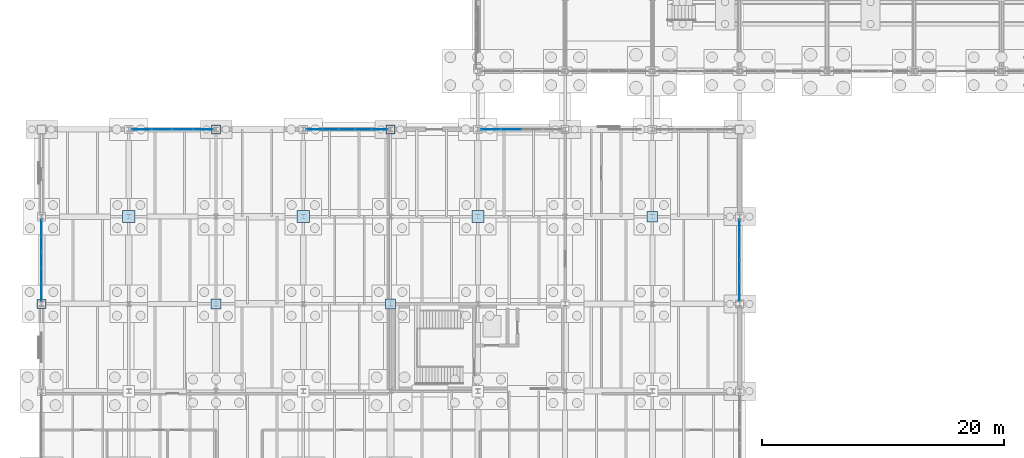
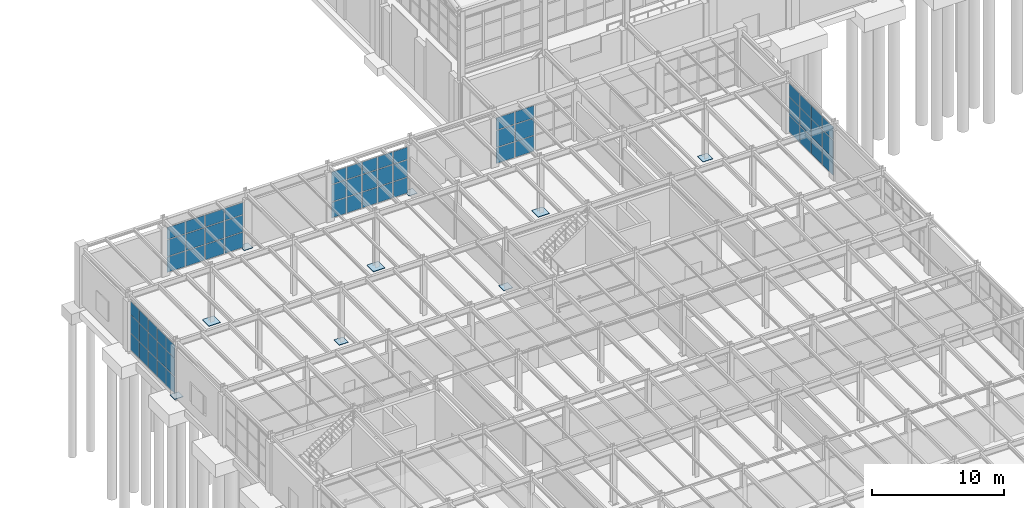
# One storey, part 237 of 293: 69 plates, 5 elements without a shape of their own.
"""IFC4 building model written with IfcOpenShell, lengths in metres."""

from ifc_helpers import new_model, si_unit, direction, frame, origin, origin_2d, place, context, subcontext, project, spatial, rectangle, extrude, material, layer, layer_set, type_object, element, aggregate, save


model = new_model("IFC4")

# Units and contexts
model_context = context("Model", 3, precision=1e-05, world=origin(), true_north=direction((0.0, 1.0)))
body_context = subcontext(model_context, "Body", "Model", "MODEL_VIEW")
ifc_project = project(units=[si_unit("LENGTHUNIT", "METRE"), si_unit("AREAUNIT", "SQUARE_METRE"), si_unit("VOLUMEUNIT", "CUBIC_METRE"), si_unit("PLANEANGLEUNIT", "RADIAN"), si_unit("MASSUNIT", "GRAM", prefix="KILO")], contexts=[model_context])

# Site, building, storey
site_placement = place(None, origin())
site = spatial("IfcSite", under=ifc_project, at=site_placement, CompositionType="ELEMENT")
building_placement = place(site_placement, origin())
building = spatial("IfcBuilding", under=site, at=building_placement, Name="Kemerveld Promenade Tramway Depot", CompositionType="ELEMENT")
storey_placement = place(building_placement, origin())
storey = spatial("IfcBuildingStorey", under=building, at=storey_placement, Name="L00", CompositionType="ELEMENT", Elevation=0.0)

# Curtain wall, plates
ifc_material_1 = material(Name="Bronze anodised aluminium and solar glass", Category="aluminium")
ifc_layer_1 = layer(ifc_material_1, 0.159912109375)
ifc_layer_set_1 = layer_set([ifc_layer_1], Name="CW-SYS-09")
curtain_wall_type_1 = type_object("IfcCurtainWallType", Name="CW-SYS-09", PredefinedType="USERDEFINED", material=ifc_layer_set_1)
curtain_wall_1_placement = place(storey_placement, origin())
curtain_wall_1 = element("IfcCurtainWall", 1, at=curtain_wall_1_placement, inside=storey, type_object=curtain_wall_type_1, Name="CW-L00-V5N-06", ObjectType="GLAZED_CURTAIN_WALL", PredefinedType="USERDEFINED")
ifc_material_2 = material(Name="Solar-control laminated double glazing", Category="glass")
ifc_layer_2 = layer(ifc_material_2, 0.028076171875)
ifc_layer_set_2 = layer_set([ifc_layer_2], Name="CW-PNL-01")
plate_type_1 = type_object("IfcPlateType", Name="CW-PNL-01", PredefinedType="CURTAIN_PANEL", material=ifc_layer_set_2)
plate_1_placement = place(storey_placement, frame((37.071044921875, 79.199951171875, 0.06005859375), z_axis=(0.0, 0.0, 1.0), x_axis=(1.0, 0.0, 0.0)))
plate_1 = element("IfcPlate", 2, at=plate_1_placement, type_object=plate_type_1, Name="CW09 panel 1.1", PredefinedType="CURTAIN_PANEL", context=body_context, shape_type="SweptSolid", body=[
    extrude(rectangle(XDim=1.599365234375, YDim=0.028076171875, at=origin_2d()), origin(), (0.0, 0.0, 1.0), 1.425048828125),
])
plate_2_placement = place(storey_placement, frame((37.071044921875, 79.199951171875, 1.544921875), z_axis=(0.0, 0.0, 1.0), x_axis=(1.0, 0.0, 0.0)))
plate_2 = element("IfcPlate", 3, at=plate_2_placement, type_object=plate_type_1, Name="CW09 panel 1.2", PredefinedType="CURTAIN_PANEL", context=body_context, shape_type="SweptSolid", body=[
    extrude(rectangle(XDim=1.599365234375, YDim=0.028076171875, at=origin_2d()), origin(), (0.0, 0.0, 1.0), 1.54296875),
])
plate_3_placement = place(storey_placement, frame((37.071044921875, 79.199951171875, 3.14794921875), z_axis=(0.0, 0.0, 1.0), x_axis=(1.0, 0.0, 0.0)))
plate_3 = element("IfcPlate", 4, at=plate_3_placement, type_object=plate_type_1, Name="CW09 panel 1.3", PredefinedType="CURTAIN_PANEL", context=body_context, shape_type="SweptSolid", body=[
    extrude(rectangle(XDim=1.599365234375, YDim=0.028076171875, at=origin_2d()), origin(), (0.0, 0.0, 1.0), 1.1220703125),
])
plate_4_placement = place(storey_placement, frame((38.75146484375, 79.199951171875, 0.06005859375), z_axis=(0.0, 0.0, 1.0), x_axis=(1.0, 0.0, 0.0)))
plate_4 = element("IfcPlate", 5, at=plate_4_placement, type_object=plate_type_1, Name="CW09 panel 2.1", PredefinedType="CURTAIN_PANEL", context=body_context, shape_type="SweptSolid", body=[
    extrude(rectangle(XDim=1.6318359375, YDim=0.028076171875, at=origin_2d()), origin(), (0.0, 0.0, 1.0), 1.425048828125),
])
plate_5_placement = place(storey_placement, frame((38.75146484375, 79.199951171875, 1.544921875), z_axis=(0.0, 0.0, 1.0), x_axis=(1.0, 0.0, 0.0)))
plate_5 = element("IfcPlate", 6, at=plate_5_placement, type_object=plate_type_1, Name="CW09 panel 2.2", PredefinedType="CURTAIN_PANEL", context=body_context, shape_type="SweptSolid", body=[
    extrude(rectangle(XDim=1.6318359375, YDim=0.028076171875, at=origin_2d()), origin(), (0.0, 0.0, 1.0), 1.54296875),
])
plate_6_placement = place(storey_placement, frame((38.75146484375, 79.199951171875, 3.14794921875), z_axis=(0.0, 0.0, 1.0), x_axis=(1.0, 0.0, 0.0)))
plate_6 = element("IfcPlate", 7, at=plate_6_placement, type_object=plate_type_1, Name="CW09 panel 2.3", PredefinedType="CURTAIN_PANEL", context=body_context, shape_type="SweptSolid", body=[
    extrude(rectangle(XDim=1.6318359375, YDim=0.028076171875, at=origin_2d()), origin(), (0.0, 0.0, 1.0), 1.1220703125),
])
aggregate(curtain_wall_1, [plate_1, plate_2, plate_3, plate_4, plate_5, plate_6])

ifc_layer_3 = layer(ifc_material_1, 0.159912109375)
ifc_layer_set_3 = layer_set([ifc_layer_3], Name="CW-SYS-13")
curtain_wall_type_2 = type_object("IfcCurtainWallType", Name="CW-SYS-13", PredefinedType="USERDEFINED", material=ifc_layer_set_3)
curtain_wall_2_placement = place(storey_placement, origin())
curtain_wall_2 = element("IfcCurtainWall", 8, at=curtain_wall_2_placement, inside=storey, type_object=curtain_wall_type_2, Name="CW-L00-V5W-10", ObjectType="GLAZED_CURTAIN_WALL", PredefinedType="USERDEFINED")
ifc_layer_4 = layer(ifc_material_2, 0.031982421875)
ifc_layer_set_4 = layer_set([ifc_layer_4], Name="CW-PNL-05")
plate_type_2 = type_object("IfcPlateType", Name="CW-PNL-05", PredefinedType="CURTAIN_PANEL", material=ifc_layer_set_4)
plate_7_placement = place(storey_placement, frame((0.0, 65.701171875, 0.06005859375), z_axis=(0.0, 0.0, 1.0), x_axis=(0.0, 1.0, 0.0)))
plate_7 = element("IfcPlate", 9, at=plate_7_placement, type_object=plate_type_2, Name="CW13 panel 1.1", PredefinedType="CURTAIN_PANEL", context=body_context, shape_type="SweptSolid", body=[
    extrude(rectangle(XDim=1.260009765625, YDim=0.031982421875, at=origin_2d()), origin(), (0.0, 0.0, 1.0), 1.51806640625),
])
plate_8_placement = place(storey_placement, frame((0.0, 65.701171875, 1.63818359375), z_axis=(0.0, 0.0, 1.0), x_axis=(0.0, 1.0, 0.0)))
plate_8 = element("IfcPlate", 10, at=plate_8_placement, type_object=plate_type_2, Name="CW13 panel 1.2", PredefinedType="CURTAIN_PANEL", context=body_context, shape_type="SweptSolid", body=[
    extrude(rectangle(XDim=1.260009765625, YDim=0.031982421875, at=origin_2d()), origin(), (0.0, 0.0, 1.0), 1.638916015625),
])
plate_9_placement = place(storey_placement, frame((0.0, 65.701171875, 3.337158203125), z_axis=(0.0, 0.0, 1.0), x_axis=(0.0, 1.0, 0.0)))
plate_9 = element("IfcPlate", 11, at=plate_9_placement, type_object=plate_type_2, Name="CW13 panel 1.3", PredefinedType="CURTAIN_PANEL", context=body_context, shape_type="SweptSolid", body=[
    extrude(rectangle(XDim=1.260009765625, YDim=0.031982421875, at=origin_2d()), origin(), (0.0, 0.0, 1.0), 1.1962890625),
])
plate_10_placement = place(storey_placement, frame((0.0, 67.04248046875, 0.06005859375), z_axis=(0.0, 0.0, 1.0), x_axis=(0.0, 1.0, 0.0)))
plate_10 = element("IfcPlate", 12, at=plate_10_placement, type_object=plate_type_2, Name="CW13 panel 2.1", PredefinedType="CURTAIN_PANEL", context=body_context, shape_type="SweptSolid", body=[
    extrude(rectangle(XDim=1.29248046875, YDim=0.031982421875, at=origin_2d()), origin(), (0.0, 0.0, 1.0), 1.51806640625),
])
plate_11_placement = place(storey_placement, frame((0.0, 67.04248046875, 1.63818359375), z_axis=(0.0, 0.0, 1.0), x_axis=(0.0, 1.0, 0.0)))
plate_11 = element("IfcPlate", 13, at=plate_11_placement, type_object=plate_type_2, Name="CW13 panel 2.2", PredefinedType="CURTAIN_PANEL", context=body_context, shape_type="SweptSolid", body=[
    extrude(rectangle(XDim=1.29248046875, YDim=0.031982421875, at=origin_2d()), origin(), (0.0, 0.0, 1.0), 1.638916015625),
])
plate_12_placement = place(storey_placement, frame((0.0, 67.04248046875, 3.337158203125), z_axis=(0.0, 0.0, 1.0), x_axis=(0.0, 1.0, 0.0)))
plate_12 = element("IfcPlate", 14, at=plate_12_placement, type_object=plate_type_2, Name="CW13 panel 2.3", PredefinedType="CURTAIN_PANEL", context=body_context, shape_type="SweptSolid", body=[
    extrude(rectangle(XDim=1.29248046875, YDim=0.031982421875, at=origin_2d()), origin(), (0.0, 0.0, 1.0), 1.1962890625),
])
plate_13_placement = place(storey_placement, frame((0.0, 68.39990234375, 0.06005859375), z_axis=(0.0, 0.0, 1.0), x_axis=(0.0, 1.0, 0.0)))
plate_13 = element("IfcPlate", 15, at=plate_13_placement, type_object=plate_type_2, Name="CW13 panel 3.1", PredefinedType="CURTAIN_PANEL", context=body_context, shape_type="SweptSolid", body=[
    extrude(rectangle(XDim=1.29248046875, YDim=0.031982421875, at=origin_2d()), origin(), (0.0, 0.0, 1.0), 1.51806640625),
])
plate_14_placement = place(storey_placement, frame((0.0, 68.39990234375, 1.63818359375), z_axis=(0.0, 0.0, 1.0), x_axis=(0.0, 1.0, 0.0)))
plate_14 = element("IfcPlate", 16, at=plate_14_placement, type_object=plate_type_2, Name="CW13 panel 3.2", PredefinedType="CURTAIN_PANEL", context=body_context, shape_type="SweptSolid", body=[
    extrude(rectangle(XDim=1.29248046875, YDim=0.031982421875, at=origin_2d()), origin(), (0.0, 0.0, 1.0), 1.638916015625),
])
plate_15_placement = place(storey_placement, frame((0.0, 68.39990234375, 3.337158203125), z_axis=(0.0, 0.0, 1.0), x_axis=(0.0, 1.0, 0.0)))
plate_15 = element("IfcPlate", 17, at=plate_15_placement, type_object=plate_type_2, Name="CW13 panel 3.3", PredefinedType="CURTAIN_PANEL", context=body_context, shape_type="SweptSolid", body=[
    extrude(rectangle(XDim=1.29248046875, YDim=0.031982421875, at=origin_2d()), origin(), (0.0, 0.0, 1.0), 1.1962890625),
])
plate_16_placement = place(storey_placement, frame((0.0, 69.757568359375, 0.06005859375), z_axis=(0.0, 0.0, 1.0), x_axis=(0.0, 1.0, 0.0)))
plate_16 = element("IfcPlate", 18, at=plate_16_placement, type_object=plate_type_2, Name="CW13 panel 4.1", PredefinedType="CURTAIN_PANEL", context=body_context, shape_type="SweptSolid", body=[
    extrude(rectangle(XDim=1.29248046875, YDim=0.031982421875, at=origin_2d()), origin(), (0.0, 0.0, 1.0), 1.51806640625),
])
plate_17_placement = place(storey_placement, frame((0.0, 69.757568359375, 1.63818359375), z_axis=(0.0, 0.0, 1.0), x_axis=(0.0, 1.0, 0.0)))
plate_17 = element("IfcPlate", 19, at=plate_17_placement, type_object=plate_type_2, Name="CW13 panel 4.2", PredefinedType="CURTAIN_PANEL", context=body_context, shape_type="SweptSolid", body=[
    extrude(rectangle(XDim=1.29248046875, YDim=0.031982421875, at=origin_2d()), origin(), (0.0, 0.0, 1.0), 1.638916015625),
])
plate_18_placement = place(storey_placement, frame((0.0, 69.757568359375, 3.337158203125), z_axis=(0.0, 0.0, 1.0), x_axis=(0.0, 1.0, 0.0)))
plate_18 = element("IfcPlate", 20, at=plate_18_placement, type_object=plate_type_2, Name="CW13 panel 4.3", PredefinedType="CURTAIN_PANEL", context=body_context, shape_type="SweptSolid", body=[
    extrude(rectangle(XDim=1.29248046875, YDim=0.031982421875, at=origin_2d()), origin(), (0.0, 0.0, 1.0), 1.1962890625),
])
plate_19_placement = place(storey_placement, frame((0.0, 71.0986328125, 0.06005859375), z_axis=(0.0, 0.0, 1.0), x_axis=(0.0, 1.0, 0.0)))
plate_19 = element("IfcPlate", 21, at=plate_19_placement, type_object=plate_type_2, Name="CW13 panel 5.1", PredefinedType="CURTAIN_PANEL", context=body_context, shape_type="SweptSolid", body=[
    extrude(rectangle(XDim=1.260009765625, YDim=0.031982421875, at=origin_2d()), origin(), (0.0, 0.0, 1.0), 1.51806640625),
])
plate_20_placement = place(storey_placement, frame((0.0, 71.0986328125, 1.63818359375), z_axis=(0.0, 0.0, 1.0), x_axis=(0.0, 1.0, 0.0)))
plate_20 = element("IfcPlate", 22, at=plate_20_placement, type_object=plate_type_2, Name="CW13 panel 5.2", PredefinedType="CURTAIN_PANEL", context=body_context, shape_type="SweptSolid", body=[
    extrude(rectangle(XDim=1.260009765625, YDim=0.031982421875, at=origin_2d()), origin(), (0.0, 0.0, 1.0), 1.638916015625),
])
plate_21_placement = place(storey_placement, frame((0.0, 71.0986328125, 3.337158203125), z_axis=(0.0, 0.0, 1.0), x_axis=(0.0, 1.0, 0.0)))
plate_21 = element("IfcPlate", 23, at=plate_21_placement, type_object=plate_type_2, Name="CW13 panel 5.3", PredefinedType="CURTAIN_PANEL", context=body_context, shape_type="SweptSolid", body=[
    extrude(rectangle(XDim=1.260009765625, YDim=0.031982421875, at=origin_2d()), origin(), (0.0, 0.0, 1.0), 1.1962890625),
])
aggregate(curtain_wall_2, [plate_7, plate_8, plate_9, plate_10, plate_11, plate_12, plate_13, plate_14, plate_15, plate_16, plate_17, plate_18, plate_19, plate_20, plate_21])

ifc_layer_5 = layer(ifc_material_1, 0.159912109375)
ifc_layer_set_5 = layer_set([ifc_layer_5], Name="CW-SYS-05")
curtain_wall_type_3 = type_object("IfcCurtainWallType", Name="CW-SYS-05", PredefinedType="USERDEFINED", material=ifc_layer_set_5)
curtain_wall_3_placement = place(storey_placement, origin())
curtain_wall_3 = element("IfcCurtainWall", 24, at=curtain_wall_3_placement, inside=storey, type_object=curtain_wall_type_3, Name="CW-L00-V5N-02", ObjectType="GLAZED_CURTAIN_WALL", PredefinedType="USERDEFINED")
plate_22_placement = place(storey_placement, frame((8.27099609375, 79.199951171875, 0.06005859375), z_axis=(0.0, 0.0, 1.0), x_axis=(1.0, 0.0, 0.0)))
plate_22 = element("IfcPlate", 25, at=plate_22_placement, type_object=plate_type_2, Name="CW05 panel 1.1", PredefinedType="CURTAIN_PANEL", context=body_context, shape_type="SweptSolid", body=[
    extrude(rectangle(XDim=1.599365234375, YDim=0.031982421875, at=origin_2d()), origin(), (0.0, 0.0, 1.0), 1.407958984375),
])
plate_23_placement = place(storey_placement, frame((8.27099609375, 79.199951171875, 1.528076171875), z_axis=(0.0, 0.0, 1.0), x_axis=(1.0, 0.0, 0.0)))
plate_23 = element("IfcPlate", 26, at=plate_23_placement, type_object=plate_type_2, Name="CW05 panel 1.2", PredefinedType="CURTAIN_PANEL", context=body_context, shape_type="SweptSolid", body=[
    extrude(rectangle(XDim=1.599365234375, YDim=0.031982421875, at=origin_2d()), origin(), (0.0, 0.0, 1.0), 1.52294921875),
])
plate_24_placement = place(storey_placement, frame((8.27099609375, 79.199951171875, 3.11083984375), z_axis=(0.0, 0.0, 1.0), x_axis=(1.0, 0.0, 0.0)))
plate_24 = element("IfcPlate", 27, at=plate_24_placement, type_object=plate_type_2, Name="CW05 panel 1.3", PredefinedType="CURTAIN_PANEL", context=body_context, shape_type="SweptSolid", body=[
    extrude(rectangle(XDim=1.599365234375, YDim=0.031982421875, at=origin_2d()), origin(), (0.0, 0.0, 1.0), 1.108154296875),
])
plate_25_placement = place(storey_placement, frame((9.95166015625, 79.199951171875, 0.06005859375), z_axis=(0.0, 0.0, 1.0), x_axis=(1.0, 0.0, 0.0)))
plate_25 = element("IfcPlate", 28, at=plate_25_placement, type_object=plate_type_2, Name="CW05 panel 2.1", PredefinedType="CURTAIN_PANEL", context=body_context, shape_type="SweptSolid", body=[
    extrude(rectangle(XDim=1.6318359375, YDim=0.031982421875, at=origin_2d()), origin(), (0.0, 0.0, 1.0), 1.407958984375),
])
plate_26_placement = place(storey_placement, frame((9.95166015625, 79.199951171875, 1.528076171875), z_axis=(0.0, 0.0, 1.0), x_axis=(1.0, 0.0, 0.0)))
plate_26 = element("IfcPlate", 29, at=plate_26_placement, type_object=plate_type_2, Name="CW05 panel 2.2", PredefinedType="CURTAIN_PANEL", context=body_context, shape_type="SweptSolid", body=[
    extrude(rectangle(XDim=1.6318359375, YDim=0.031982421875, at=origin_2d()), origin(), (0.0, 0.0, 1.0), 1.52294921875),
])
plate_27_placement = place(storey_placement, frame((9.95166015625, 79.199951171875, 3.11083984375), z_axis=(0.0, 0.0, 1.0), x_axis=(1.0, 0.0, 0.0)))
plate_27 = element("IfcPlate", 30, at=plate_27_placement, type_object=plate_type_2, Name="CW05 panel 2.3", PredefinedType="CURTAIN_PANEL", context=body_context, shape_type="SweptSolid", body=[
    extrude(rectangle(XDim=1.6318359375, YDim=0.031982421875, at=origin_2d()), origin(), (0.0, 0.0, 1.0), 1.108154296875),
])
plate_28_placement = place(storey_placement, frame((11.6484375, 79.199951171875, 0.06005859375), z_axis=(0.0, 0.0, 1.0), x_axis=(1.0, 0.0, 0.0)))
plate_28 = element("IfcPlate", 31, at=plate_28_placement, type_object=plate_type_2, Name="CW05 panel 3.1", PredefinedType="CURTAIN_PANEL", context=body_context, shape_type="SweptSolid", body=[
    extrude(rectangle(XDim=1.6318359375, YDim=0.031982421875, at=origin_2d()), origin(), (0.0, 0.0, 1.0), 1.407958984375),
])
plate_29_placement = place(storey_placement, frame((11.6484375, 79.199951171875, 1.528076171875), z_axis=(0.0, 0.0, 1.0), x_axis=(1.0, 0.0, 0.0)))
plate_29 = element("IfcPlate", 32, at=plate_29_placement, type_object=plate_type_2, Name="CW05 panel 3.2", PredefinedType="CURTAIN_PANEL", context=body_context, shape_type="SweptSolid", body=[
    extrude(rectangle(XDim=1.6318359375, YDim=0.031982421875, at=origin_2d()), origin(), (0.0, 0.0, 1.0), 1.52294921875),
])
plate_30_placement = place(storey_placement, frame((11.6484375, 79.199951171875, 3.11083984375), z_axis=(0.0, 0.0, 1.0), x_axis=(1.0, 0.0, 0.0)))
plate_30 = element("IfcPlate", 33, at=plate_30_placement, type_object=plate_type_2, Name="CW05 panel 3.3", PredefinedType="CURTAIN_PANEL", context=body_context, shape_type="SweptSolid", body=[
    extrude(rectangle(XDim=1.6318359375, YDim=0.031982421875, at=origin_2d()), origin(), (0.0, 0.0, 1.0), 1.108154296875),
])
plate_31_placement = place(storey_placement, frame((13.3291015625, 79.199951171875, 0.06005859375), z_axis=(0.0, 0.0, 1.0), x_axis=(1.0, 0.0, 0.0)))
plate_31 = element("IfcPlate", 34, at=plate_31_placement, type_object=plate_type_2, Name="CW05 panel 4.1", PredefinedType="CURTAIN_PANEL", context=body_context, shape_type="SweptSolid", body=[
    extrude(rectangle(XDim=1.599365234375, YDim=0.031982421875, at=origin_2d()), origin(), (0.0, 0.0, 1.0), 1.407958984375),
])
plate_32_placement = place(storey_placement, frame((13.3291015625, 79.199951171875, 1.528076171875), z_axis=(0.0, 0.0, 1.0), x_axis=(1.0, 0.0, 0.0)))
plate_32 = element("IfcPlate", 35, at=plate_32_placement, type_object=plate_type_2, Name="CW05 panel 4.2", PredefinedType="CURTAIN_PANEL", context=body_context, shape_type="SweptSolid", body=[
    extrude(rectangle(XDim=1.599365234375, YDim=0.031982421875, at=origin_2d()), origin(), (0.0, 0.0, 1.0), 1.52294921875),
])
plate_33_placement = place(storey_placement, frame((13.3291015625, 79.199951171875, 3.11083984375), z_axis=(0.0, 0.0, 1.0), x_axis=(1.0, 0.0, 0.0)))
plate_33 = element("IfcPlate", 36, at=plate_33_placement, type_object=plate_type_2, Name="CW05 panel 4.3", PredefinedType="CURTAIN_PANEL", context=body_context, shape_type="SweptSolid", body=[
    extrude(rectangle(XDim=1.599365234375, YDim=0.031982421875, at=origin_2d()), origin(), (0.0, 0.0, 1.0), 1.108154296875),
])
aggregate(curtain_wall_3, [plate_22, plate_23, plate_24, plate_25, plate_26, plate_27, plate_28, plate_29, plate_30, plate_31, plate_32, plate_33])

curtain_wall_4_placement = place(storey_placement, origin())
curtain_wall_4 = element("IfcCurtainWall", 37, at=curtain_wall_4_placement, inside=storey, type_object=curtain_wall_type_3, Name="CW-L00-V5E-02", ObjectType="GLAZED_CURTAIN_WALL", PredefinedType="USERDEFINED")
plate_34_placement = place(storey_placement, frame((57.60009765625, 70.928955078125, 0.06005859375), z_axis=(0.0, 0.0, 1.0), x_axis=(0.0, -1.0, 0.0)))
plate_34 = element("IfcPlate", 38, at=plate_34_placement, type_object=plate_type_2, Name="CW05 panel 1.1", PredefinedType="CURTAIN_PANEL", context=body_context, shape_type="SweptSolid", body=[
    extrude(rectangle(XDim=1.599365234375, YDim=0.031982421875, at=origin_2d()), origin(), (0.0, 0.0, 1.0), 1.51806640625),
])
plate_35_placement = place(storey_placement, frame((57.60009765625, 70.928955078125, 1.63818359375), z_axis=(0.0, 0.0, 1.0), x_axis=(0.0, -1.0, 0.0)))
plate_35 = element("IfcPlate", 39, at=plate_35_placement, type_object=plate_type_2, Name="CW05 panel 1.2", PredefinedType="CURTAIN_PANEL", context=body_context, shape_type="SweptSolid", body=[
    extrude(rectangle(XDim=1.599365234375, YDim=0.031982421875, at=origin_2d()), origin(), (0.0, 0.0, 1.0), 1.638916015625),
])
plate_36_placement = place(storey_placement, frame((57.60009765625, 70.928955078125, 3.337158203125), z_axis=(0.0, 0.0, 1.0), x_axis=(0.0, -1.0, 0.0)))
plate_36 = element("IfcPlate", 40, at=plate_36_placement, type_object=plate_type_2, Name="CW05 panel 1.3", PredefinedType="CURTAIN_PANEL", context=body_context, shape_type="SweptSolid", body=[
    extrude(rectangle(XDim=1.599365234375, YDim=0.031982421875, at=origin_2d()), origin(), (0.0, 0.0, 1.0), 1.1962890625),
])
plate_37_placement = place(storey_placement, frame((57.60009765625, 69.24853515625, 0.06005859375), z_axis=(0.0, 0.0, 1.0), x_axis=(0.0, -1.0, 0.0)))
plate_37 = element("IfcPlate", 41, at=plate_37_placement, type_object=plate_type_2, Name="CW05 panel 2.1", PredefinedType="CURTAIN_PANEL", context=body_context, shape_type="SweptSolid", body=[
    extrude(rectangle(XDim=1.6318359375, YDim=0.031982421875, at=origin_2d()), origin(), (0.0, 0.0, 1.0), 1.51806640625),
])
plate_38_placement = place(storey_placement, frame((57.60009765625, 69.24853515625, 1.63818359375), z_axis=(0.0, 0.0, 1.0), x_axis=(0.0, -1.0, 0.0)))
plate_38 = element("IfcPlate", 42, at=plate_38_placement, type_object=plate_type_2, Name="CW05 panel 2.2", PredefinedType="CURTAIN_PANEL", context=body_context, shape_type="SweptSolid", body=[
    extrude(rectangle(XDim=1.6318359375, YDim=0.031982421875, at=origin_2d()), origin(), (0.0, 0.0, 1.0), 1.638916015625),
])
plate_39_placement = place(storey_placement, frame((57.60009765625, 69.24853515625, 3.337158203125), z_axis=(0.0, 0.0, 1.0), x_axis=(0.0, -1.0, 0.0)))
plate_39 = element("IfcPlate", 43, at=plate_39_placement, type_object=plate_type_2, Name="CW05 panel 2.3", PredefinedType="CURTAIN_PANEL", context=body_context, shape_type="SweptSolid", body=[
    extrude(rectangle(XDim=1.6318359375, YDim=0.031982421875, at=origin_2d()), origin(), (0.0, 0.0, 1.0), 1.1962890625),
])
plate_40_placement = place(storey_placement, frame((57.60009765625, 67.551513671875, 0.06005859375), z_axis=(0.0, 0.0, 1.0), x_axis=(0.0, -1.0, 0.0)))
plate_40 = element("IfcPlate", 44, at=plate_40_placement, type_object=plate_type_2, Name="CW05 panel 3.1", PredefinedType="CURTAIN_PANEL", context=body_context, shape_type="SweptSolid", body=[
    extrude(rectangle(XDim=1.6318359375, YDim=0.031982421875, at=origin_2d()), origin(), (0.0, 0.0, 1.0), 1.51806640625),
])
plate_41_placement = place(storey_placement, frame((57.60009765625, 67.551513671875, 1.63818359375), z_axis=(0.0, 0.0, 1.0), x_axis=(0.0, -1.0, 0.0)))
plate_41 = element("IfcPlate", 45, at=plate_41_placement, type_object=plate_type_2, Name="CW05 panel 3.2", PredefinedType="CURTAIN_PANEL", context=body_context, shape_type="SweptSolid", body=[
    extrude(rectangle(XDim=1.6318359375, YDim=0.031982421875, at=origin_2d()), origin(), (0.0, 0.0, 1.0), 1.638916015625),
])
plate_42_placement = place(storey_placement, frame((57.60009765625, 67.551513671875, 3.337158203125), z_axis=(0.0, 0.0, 1.0), x_axis=(0.0, -1.0, 0.0)))
plate_42 = element("IfcPlate", 46, at=plate_42_placement, type_object=plate_type_2, Name="CW05 panel 3.3", PredefinedType="CURTAIN_PANEL", context=body_context, shape_type="SweptSolid", body=[
    extrude(rectangle(XDim=1.6318359375, YDim=0.031982421875, at=origin_2d()), origin(), (0.0, 0.0, 1.0), 1.1962890625),
])
plate_43_placement = place(storey_placement, frame((57.60009765625, 65.87109375, 0.06005859375), z_axis=(0.0, 0.0, 1.0), x_axis=(0.0, -1.0, 0.0)))
plate_43 = element("IfcPlate", 47, at=plate_43_placement, type_object=plate_type_2, Name="CW05 panel 4.1", PredefinedType="CURTAIN_PANEL", context=body_context, shape_type="SweptSolid", body=[
    extrude(rectangle(XDim=1.599365234375, YDim=0.031982421875, at=origin_2d()), origin(), (0.0, 0.0, 1.0), 1.51806640625),
])
plate_44_placement = place(storey_placement, frame((57.60009765625, 65.87109375, 1.63818359375), z_axis=(0.0, 0.0, 1.0), x_axis=(0.0, -1.0, 0.0)))
plate_44 = element("IfcPlate", 48, at=plate_44_placement, type_object=plate_type_2, Name="CW05 panel 4.2", PredefinedType="CURTAIN_PANEL", context=body_context, shape_type="SweptSolid", body=[
    extrude(rectangle(XDim=1.599365234375, YDim=0.031982421875, at=origin_2d()), origin(), (0.0, 0.0, 1.0), 1.638916015625),
])
plate_45_placement = place(storey_placement, frame((57.60009765625, 65.87109375, 3.337158203125), z_axis=(0.0, 0.0, 1.0), x_axis=(0.0, -1.0, 0.0)))
plate_45 = element("IfcPlate", 49, at=plate_45_placement, type_object=plate_type_2, Name="CW05 panel 4.3", PredefinedType="CURTAIN_PANEL", context=body_context, shape_type="SweptSolid", body=[
    extrude(rectangle(XDim=1.599365234375, YDim=0.031982421875, at=origin_2d()), origin(), (0.0, 0.0, 1.0), 1.1962890625),
])
aggregate(curtain_wall_4, [plate_34, plate_35, plate_36, plate_37, plate_38, plate_39, plate_40, plate_41, plate_42, plate_43, plate_44, plate_45])

ifc_layer_6 = layer(ifc_material_1, 0.159912109375)
ifc_layer_set_6 = layer_set([ifc_layer_6], Name="CW-SYS-07")
curtain_wall_type_4 = type_object("IfcCurtainWallType", Name="CW-SYS-07", PredefinedType="USERDEFINED", material=ifc_layer_set_6)
curtain_wall_5_placement = place(storey_placement, origin())
curtain_wall_5 = element("IfcCurtainWall", 50, at=curtain_wall_5_placement, inside=storey, type_object=curtain_wall_type_4, Name="CW-L00-V5N-04", ObjectType="GLAZED_CURTAIN_WALL", PredefinedType="USERDEFINED")
ifc_layer_7 = layer(ifc_material_2, 0.030029296875)
ifc_layer_set_7 = layer_set([ifc_layer_7], Name="CW-PNL-07")
plate_type_3 = type_object("IfcPlateType", Name="CW-PNL-07", PredefinedType="CURTAIN_PANEL", material=ifc_layer_set_7)
plate_46_placement = place(storey_placement, frame((22.501220703125, 79.199951171875, 0.06005859375), z_axis=(0.0, 0.0, 1.0), x_axis=(1.0, 0.0, 0.0)))
plate_46 = element("IfcPlate", 51, at=plate_46_placement, type_object=plate_type_3, Name="CW07 panel 1.1", PredefinedType="CURTAIN_PANEL", context=body_context, shape_type="SweptSolid", body=[
    extrude(rectangle(XDim=1.260009765625, YDim=0.030029296875, at=origin_2d()), origin(), (0.0, 0.0, 1.0), 1.43896484375),
])
plate_47_placement = place(storey_placement, frame((22.501220703125, 79.199951171875, 1.55908203125), z_axis=(0.0, 0.0, 1.0), x_axis=(1.0, 0.0, 0.0)))
plate_47 = element("IfcPlate", 52, at=plate_47_placement, type_object=plate_type_3, Name="CW07 panel 1.2", PredefinedType="CURTAIN_PANEL", context=body_context, shape_type="SweptSolid", body=[
    extrude(rectangle(XDim=1.260009765625, YDim=0.030029296875, at=origin_2d()), origin(), (0.0, 0.0, 1.0), 1.555908203125),
])
plate_48_placement = place(storey_placement, frame((22.501220703125, 79.199951171875, 3.175048828125), z_axis=(0.0, 0.0, 1.0), x_axis=(1.0, 0.0, 0.0)))
plate_48 = element("IfcPlate", 53, at=plate_48_placement, type_object=plate_type_3, Name="CW07 panel 1.3", PredefinedType="CURTAIN_PANEL", context=body_context, shape_type="SweptSolid", body=[
    extrude(rectangle(XDim=1.260009765625, YDim=0.030029296875, at=origin_2d()), origin(), (0.0, 0.0, 1.0), 1.1328125),
])
plate_49_placement = place(storey_placement, frame((23.842529296875, 79.199951171875, 0.06005859375), z_axis=(0.0, 0.0, 1.0), x_axis=(1.0, 0.0, 0.0)))
plate_49 = element("IfcPlate", 54, at=plate_49_placement, type_object=plate_type_3, Name="CW07 panel 2.1", PredefinedType="CURTAIN_PANEL", context=body_context, shape_type="SweptSolid", body=[
    extrude(rectangle(XDim=1.29248046875, YDim=0.030029296875, at=origin_2d()), origin(), (0.0, 0.0, 1.0), 1.43896484375),
])
plate_50_placement = place(storey_placement, frame((23.842529296875, 79.199951171875, 1.55908203125), z_axis=(0.0, 0.0, 1.0), x_axis=(1.0, 0.0, 0.0)))
plate_50 = element("IfcPlate", 55, at=plate_50_placement, type_object=plate_type_3, Name="CW07 panel 2.2", PredefinedType="CURTAIN_PANEL", context=body_context, shape_type="SweptSolid", body=[
    extrude(rectangle(XDim=1.29248046875, YDim=0.030029296875, at=origin_2d()), origin(), (0.0, 0.0, 1.0), 1.555908203125),
])
plate_51_placement = place(storey_placement, frame((23.842529296875, 79.199951171875, 3.175048828125), z_axis=(0.0, 0.0, 1.0), x_axis=(1.0, 0.0, 0.0)))
plate_51 = element("IfcPlate", 56, at=plate_51_placement, type_object=plate_type_3, Name="CW07 panel 2.3", PredefinedType="CURTAIN_PANEL", context=body_context, shape_type="SweptSolid", body=[
    extrude(rectangle(XDim=1.29248046875, YDim=0.030029296875, at=origin_2d()), origin(), (0.0, 0.0, 1.0), 1.1328125),
])
plate_52_placement = place(storey_placement, frame((25.199951171875, 79.199951171875, 0.06005859375), z_axis=(0.0, 0.0, 1.0), x_axis=(1.0, 0.0, 0.0)))
plate_52 = element("IfcPlate", 57, at=plate_52_placement, type_object=plate_type_3, Name="CW07 panel 3.1", PredefinedType="CURTAIN_PANEL", context=body_context, shape_type="SweptSolid", body=[
    extrude(rectangle(XDim=1.29248046875, YDim=0.030029296875, at=origin_2d()), origin(), (0.0, 0.0, 1.0), 1.43896484375),
])
plate_53_placement = place(storey_placement, frame((25.199951171875, 79.199951171875, 1.55908203125), z_axis=(0.0, 0.0, 1.0), x_axis=(1.0, 0.0, 0.0)))
plate_53 = element("IfcPlate", 58, at=plate_53_placement, type_object=plate_type_3, Name="CW07 panel 3.2", PredefinedType="CURTAIN_PANEL", context=body_context, shape_type="SweptSolid", body=[
    extrude(rectangle(XDim=1.29248046875, YDim=0.030029296875, at=origin_2d()), origin(), (0.0, 0.0, 1.0), 1.555908203125),
])
plate_54_placement = place(storey_placement, frame((25.199951171875, 79.199951171875, 3.175048828125), z_axis=(0.0, 0.0, 1.0), x_axis=(1.0, 0.0, 0.0)))
plate_54 = element("IfcPlate", 59, at=plate_54_placement, type_object=plate_type_3, Name="CW07 panel 3.3", PredefinedType="CURTAIN_PANEL", context=body_context, shape_type="SweptSolid", body=[
    extrude(rectangle(XDim=1.29248046875, YDim=0.030029296875, at=origin_2d()), origin(), (0.0, 0.0, 1.0), 1.1328125),
])
plate_55_placement = place(storey_placement, frame((26.557373046875, 79.199951171875, 0.06005859375), z_axis=(0.0, 0.0, 1.0), x_axis=(1.0, 0.0, 0.0)))
plate_55 = element("IfcPlate", 60, at=plate_55_placement, type_object=plate_type_3, Name="CW07 panel 4.1", PredefinedType="CURTAIN_PANEL", context=body_context, shape_type="SweptSolid", body=[
    extrude(rectangle(XDim=1.29248046875, YDim=0.030029296875, at=origin_2d()), origin(), (0.0, 0.0, 1.0), 1.43896484375),
])
plate_56_placement = place(storey_placement, frame((26.557373046875, 79.199951171875, 1.55908203125), z_axis=(0.0, 0.0, 1.0), x_axis=(1.0, 0.0, 0.0)))
plate_56 = element("IfcPlate", 61, at=plate_56_placement, type_object=plate_type_3, Name="CW07 panel 4.2", PredefinedType="CURTAIN_PANEL", context=body_context, shape_type="SweptSolid", body=[
    extrude(rectangle(XDim=1.29248046875, YDim=0.030029296875, at=origin_2d()), origin(), (0.0, 0.0, 1.0), 1.555908203125),
])
plate_57_placement = place(storey_placement, frame((26.557373046875, 79.199951171875, 3.175048828125), z_axis=(0.0, 0.0, 1.0), x_axis=(1.0, 0.0, 0.0)))
plate_57 = element("IfcPlate", 62, at=plate_57_placement, type_object=plate_type_3, Name="CW07 panel 4.3", PredefinedType="CURTAIN_PANEL", context=body_context, shape_type="SweptSolid", body=[
    extrude(rectangle(XDim=1.29248046875, YDim=0.030029296875, at=origin_2d()), origin(), (0.0, 0.0, 1.0), 1.1328125),
])
plate_58_placement = place(storey_placement, frame((27.898681640625, 79.199951171875, 0.06005859375), z_axis=(0.0, 0.0, 1.0), x_axis=(1.0, 0.0, 0.0)))
plate_58 = element("IfcPlate", 63, at=plate_58_placement, type_object=plate_type_3, Name="CW07 panel 5.1", PredefinedType="CURTAIN_PANEL", context=body_context, shape_type="SweptSolid", body=[
    extrude(rectangle(XDim=1.260009765625, YDim=0.030029296875, at=origin_2d()), origin(), (0.0, 0.0, 1.0), 1.43896484375),
])
plate_59_placement = place(storey_placement, frame((27.898681640625, 79.199951171875, 1.55908203125), z_axis=(0.0, 0.0, 1.0), x_axis=(1.0, 0.0, 0.0)))
plate_59 = element("IfcPlate", 64, at=plate_59_placement, type_object=plate_type_3, Name="CW07 panel 5.2", PredefinedType="CURTAIN_PANEL", context=body_context, shape_type="SweptSolid", body=[
    extrude(rectangle(XDim=1.260009765625, YDim=0.030029296875, at=origin_2d()), origin(), (0.0, 0.0, 1.0), 1.555908203125),
])
plate_60_placement = place(storey_placement, frame((27.898681640625, 79.199951171875, 3.175048828125), z_axis=(0.0, 0.0, 1.0), x_axis=(1.0, 0.0, 0.0)))
plate_60 = element("IfcPlate", 65, at=plate_60_placement, type_object=plate_type_3, Name="CW07 panel 5.3", PredefinedType="CURTAIN_PANEL", context=body_context, shape_type="SweptSolid", body=[
    extrude(rectangle(XDim=1.260009765625, YDim=0.030029296875, at=origin_2d()), origin(), (0.0, 0.0, 1.0), 1.1328125),
])
aggregate(curtain_wall_5, [plate_46, plate_47, plate_48, plate_49, plate_50, plate_51, plate_52, plate_53, plate_54, plate_55, plate_56, plate_57, plate_58, plate_59, plate_60])

# Plates
ifc_material_3 = material(Name="Steel S355", Category="steel")
ifc_layer_8 = layer(ifc_material_3, 0.0400390625)
ifc_layer_set_8 = layer_set([ifc_layer_8], Name="PL-BP02")
plate_type_4 = type_object("IfcPlateType", Name="PL-BP02", PredefinedType="USERDEFINED", material=ifc_layer_set_8)
plate_61_placement = place(storey_placement, frame((50.39990234375, 72.0, 0.0), z_axis=(0.0, 0.0, 1.0), x_axis=(1.0, 0.0, 0.0)))
element("IfcPlate", 66, at=plate_61_placement, inside=storey, type_object=plate_type_4, Name="BP-08-L", ObjectType="BASE_PLATE", PredefinedType="USERDEFINED", context=body_context, shape_type="SweptSolid", body=[
    extrude(rectangle(XDim=0.85009765625, YDim=0.85009765625, at=origin_2d()), origin(), (0.0, 0.0, 1.0), 0.0400390625),
])
ifc_layer_9 = layer(ifc_material_3, 0.0400390625)
ifc_layer_set_9 = layer_set([ifc_layer_9], Name="PL-BP03")
plate_type_5 = type_object("IfcPlateType", Name="PL-BP03", PredefinedType="USERDEFINED", material=ifc_layer_set_9)
for number, where, z_axis, x_axis, name in (
    (67, (14.39990234375, 64.800048828125, 0.0), (0.0, 0.0, 1.0), (1.0, 0.0, 0.0), "BP-03-K"),
    (68, (28.800048828125, 64.800048828125, 0.0), (0.0, 0.0, 1.0), (1.0, 0.0, 0.0), "BP-05-K"),
):
    element("IfcPlate", number, at=place(storey_placement, frame(where, z_axis=z_axis, x_axis=x_axis)), inside=storey, type_object=plate_type_5, Name=name, ObjectType="BASE_PLATE", PredefinedType="USERDEFINED", context=body_context, shape_type="SweptSolid", body=[
        extrude(rectangle(XDim=0.800048828125, YDim=0.800048828125, at=origin_2d()), origin(), (0.0, 0.0, 1.0), 0.0400390625),
    ])
ifc_layer_10 = layer(ifc_material_3, 0.034912109375)
ifc_layer_set_10 = layer_set([ifc_layer_10], Name="PL-BP04")
plate_type_6 = type_object("IfcPlateType", Name="PL-BP04", PredefinedType="USERDEFINED", material=ifc_layer_set_10)
for number, where, z_axis, x_axis, name in (
    (69, (0.0, 64.800048828125, 0.0), (0.0, 0.0, 1.0), (1.0, 0.0, 0.0), "BP-01-K"),
    (70, (14.39990234375, 79.199951171875, 0.0), (0.0, 0.0, 1.0), (1.0, 0.0, 0.0), "BP-03-M"),
    (71, (28.800048828125, 79.199951171875, 0.0), (0.0, 0.0, 1.0), (1.0, 0.0, 0.0), "BP-05-M"),
):
    element("IfcPlate", number, at=place(storey_placement, frame(where, z_axis=z_axis, x_axis=x_axis)), inside=storey, type_object=plate_type_6, Name=name, ObjectType="BASE_PLATE", PredefinedType="USERDEFINED", context=body_context, shape_type="SweptSolid", body=[
        extrude(rectangle(XDim=0.75, YDim=0.75, at=origin_2d()), origin(), (0.0, 0.0, 1.0), 0.034912109375),
    ])
ifc_layer_11 = layer(ifc_material_3, 0.050048828125)
ifc_layer_set_11 = layer_set([ifc_layer_11], Name="PL-BP10")
plate_type_7 = type_object("IfcPlateType", Name="PL-BP10", PredefinedType="USERDEFINED", material=ifc_layer_set_11)
for number, where, z_axis, x_axis, name in (
    (72, (7.199951171875, 72.0, 0.0), (0.0, 0.0, 1.0), (1.0, 0.0, 0.0), "BP-02-L"),
    (73, (21.60009765625, 72.0, 0.0), (0.0, 0.0, 1.0), (1.0, 0.0, 0.0), "BP-04-L"),
    (74, (36.0, 72.0, 0.0), (0.0, 0.0, 1.0), (1.0, 0.0, 0.0), "BP-06-L"),
):
    element("IfcPlate", number, at=place(storey_placement, frame(where, z_axis=z_axis, x_axis=x_axis)), inside=storey, type_object=plate_type_7, Name=name, ObjectType="BASE_PLATE", PredefinedType="USERDEFINED", context=body_context, shape_type="SweptSolid", body=[
        extrude(rectangle(XDim=1.0, YDim=1.0, at=origin_2d()), origin(), (0.0, 0.0, 1.0), 0.050048828125),
    ])

save(model, "model.ifc")
